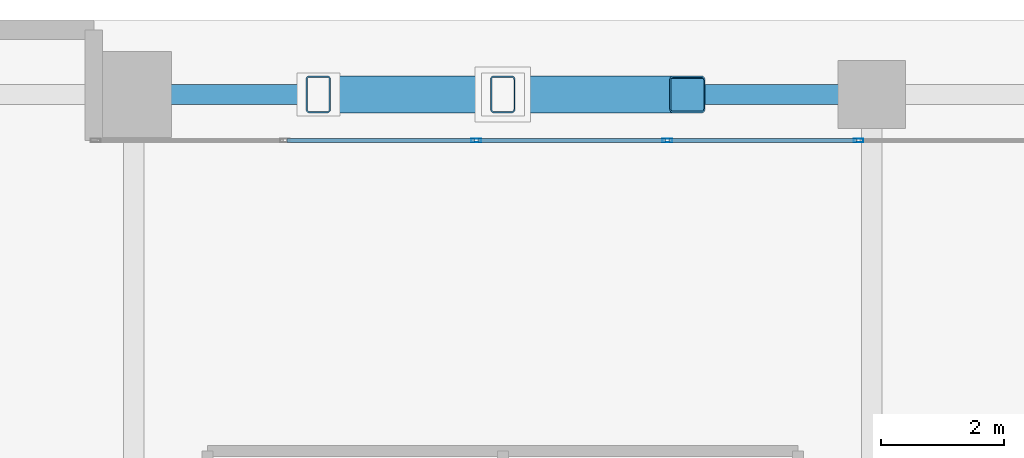
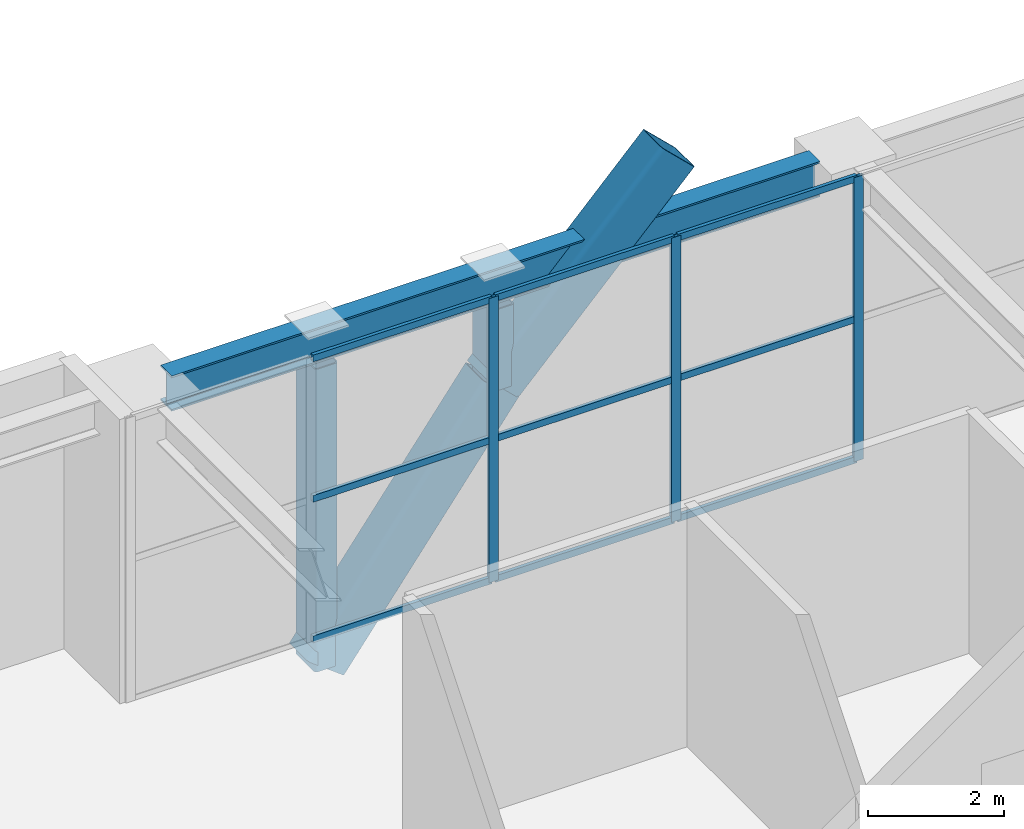
# One storey, part 14 of 28: 16 members, 1 beam, 1 element without a shape of its own.
"""IFC4 building model written with IfcOpenShell, lengths in metres."""

import ifcopenshell
import ifcopenshell.guid

model = None  # the IFC model being written
_history = None  # IfcOwnerHistory: only IFC2X3 demands one
_inside = {}  # id of a spatial element -> (the spatial element, [elements in it])
_under = {}  # id of a project, library or spatial element -> (it, [spatial elements below it])
_declared = {}  # id of a project -> (the project, [libraries it declares])
_typed = {}  # id of a type object -> (the type object, [elements of that type])
_made_of = {}  # id of a material, layer set ... -> (it, [elements and type objects made of it])


def new_model(schema):
    """Start an empty IFC model of exactly this schema.

    Asked for "IFC4X3", IfcOpenShell would pick the latest addendum, in which some entities
    have other attributes; the version numbers below select the first issue.
    IFC2X3 requires an IfcOwnerHistory on every rooted entity: one is made here for all.
    """
    global model, _history
    if schema == "IFC4X3":
        model = ifcopenshell.file(schema_version=(4, 3, 0, 0))
    else:
        model = ifcopenshell.file(schema=schema)
    _inside.clear()
    _under.clear()
    _declared.clear()
    _typed.clear()
    _made_of.clear()
    _history = None
    if model.schema == "IFC2X3":
        org = make("IfcOrganization", Name="unknown")
        user = make(
            "IfcPersonAndOrganization",
            ThePerson=make("IfcPerson", FamilyName="unknown"),
            TheOrganization=org,
        )
        app = make(
            "IfcApplication",
            ApplicationDeveloper=org,
            Version="unknown",
            ApplicationFullName="unknown",
            ApplicationIdentifier="unknown",
        )
        _history = make(
            "IfcOwnerHistory",
            OwningUser=user,
            OwningApplication=app,
            ChangeAction="ADDED",
            CreationDate=0,
        )
    return model


def make(cls, **values):
    """One entity of the class cls with the attributes given. An attribute that is None is left unset."""
    return model.create_entity(
        cls, **{name: value for name, value in values.items() if value is not None}
    )


def rooted(cls, **values):
    """An entity with a GlobalId (a new one), such as an element, a storey or a relation."""
    return make(cls, GlobalId=ifcopenshell.guid.new(), OwnerHistory=_history, **values)


def si_unit(unit_type, name, prefix=None):
    """IfcSIUnit, for example si_unit("LENGTHUNIT", "METRE", prefix="MILLI")."""
    return make("IfcSIUnit", UnitType=unit_type, Prefix=prefix, Name=name)


def assignment(units):
    """IfcUnitAssignment: the units of a project."""
    return None if units is None else make("IfcUnitAssignment", Units=units)


def point(xyz):
    """IfcCartesianPoint."""
    return None if xyz is None else make("IfcCartesianPoint", Coordinates=xyz)


def direction(xyz):
    """IfcDirection."""
    return None if xyz is None else make("IfcDirection", DirectionRatios=xyz)


def frame(location, z_axis=None, x_axis=None):
    """IfcAxis2Placement3D, a coordinate frame: its origin and axes. An axis left out is left unset."""
    return make(
        "IfcAxis2Placement3D",
        Location=point(location),
        Axis=direction(z_axis),
        RefDirection=direction(x_axis),
    )


def frame_2d(location, x_axis=None):
    """IfcAxis2Placement2D, a coordinate frame in the plane: its origin and x axis."""
    return make(
        "IfcAxis2Placement2D", Location=point(location), RefDirection=direction(x_axis)
    )


def origin():
    """The frame at (0, 0, 0) with its axes left unset."""
    return frame((0.0, 0.0, 0.0))


def origin_2d():
    """The frame at (0, 0) in the plane with its x axis left unset."""
    return frame_2d((0.0, 0.0))


def place(relative_to, where):
    """IfcLocalPlacement: puts the frame where relative to a parent placement (None: the world)."""
    return make(
        "IfcLocalPlacement", PlacementRelTo=relative_to, RelativePlacement=where
    )


def context(
    kind, dimensions, precision=None, world=None, true_north=None, identifier=None
):
    """IfcGeometricRepresentationContext, for example the 3D "Model" context."""
    return make(
        "IfcGeometricRepresentationContext",
        ContextIdentifier=identifier,
        ContextType=kind,
        CoordinateSpaceDimension=dimensions,
        Precision=precision,
        WorldCoordinateSystem=world,
        TrueNorth=true_north,
    )


def subcontext(parent, identifier, kind, view, scale=None):
    """IfcGeometricRepresentationSubContext, for example "Body" below "Model"."""
    return make(
        "IfcGeometricRepresentationSubContext",
        ContextIdentifier=identifier,
        ContextType=kind,
        ParentContext=parent,
        TargetScale=scale,
        TargetView=view,
    )


def project(units=None, contexts=None):
    """IfcProject with its units and contexts."""
    return rooted(
        "IfcProject",
        Name="project",
        RepresentationContexts=contexts,
        UnitsInContext=assignment(units),
    )


def spatial(cls, under=None, at=None, **own):
    """A site, building, storey or space (cls), placed at a placement, below another one or the project."""
    s = rooted(cls, ObjectPlacement=at, **own)
    if under is not None:
        _under.setdefault(under.id(), (under, []))[1].append(s)
    return s


def profile(cls, at=None, kind="AREA", **sizes):
    """A parametric profile (cls). Its sizes go by their IFC names, for example OverallWidth=200.0."""
    return make(cls, ProfileType=kind, Position=at, **sizes)


def hollow_rectangle(**sizes):
    """IfcRectangleHollowProfileDef."""
    return profile("IfcRectangleHollowProfileDef", **sizes)


def i_section(**sizes):
    """IfcIShapeProfileDef."""
    return profile("IfcIShapeProfileDef", **sizes)


def extrude(swept, where, along, depth):
    """IfcExtrudedAreaSolid: the profile swept, set in the frame where, extruded along a direction by depth."""
    return make(
        "IfcExtrudedAreaSolid",
        SweptArea=swept,
        Position=where,
        ExtrudedDirection=direction(along),
        Depth=depth,
    )


def shape(context_of_items, identifier, shape_type, items):
    """IfcShapeRepresentation: the items that make up one representation, for example the "Body"."""
    return make(
        "IfcShapeRepresentation",
        ContextOfItems=context_of_items,
        RepresentationIdentifier=identifier,
        RepresentationType=shape_type,
        Items=items,
    )


def material(Name=None, Category=None):
    """IfcMaterial."""
    return make("IfcMaterial", Name=Name, Category=Category)


def layer(
    of_material, thickness, ventilated=None, Name=None, Category=None, Priority=None
):
    """IfcMaterialLayer: one layer of a wall or slab, of a material (None: an air gap)."""
    return make(
        "IfcMaterialLayer",
        Material=of_material,
        LayerThickness=thickness,
        IsVentilated=ventilated,
        Name=Name,
        Category=Category,
        Priority=Priority,
    )


def layer_set(layers, Name=None):
    """IfcMaterialLayerSet."""
    return make("IfcMaterialLayerSet", MaterialLayers=layers, LayerSetName=Name)


def material_profile(
    of_material, cross_section, Name=None, Category=None, Priority=None
):
    """IfcMaterialProfile: a cross section and its material."""
    return make(
        "IfcMaterialProfile",
        Name=Name,
        Material=of_material,
        Profile=cross_section,
        Priority=Priority,
        Category=Category,
    )


def profile_set(profiles, Name=None, composite=None):
    """IfcMaterialProfileSet."""
    return make(
        "IfcMaterialProfileSet",
        Name=Name,
        MaterialProfiles=profiles,
        CompositeProfile=composite,
    )


def made_of(thing, what):
    """Note that an element or type object is made of a material, layer set ...; save() writes the relation."""
    if what is not None:
        _made_of.setdefault(what.id(), (what, []))[1].append(thing)
    return thing


def type_object(cls, material=None, **own):
    """A type object (cls), such as IfcWallType, which elements share."""
    return made_of(rooted(cls, **own), material)


def element(
    cls,
    number,
    at=None,
    inside=None,
    cuts=None,
    type_object=None,
    material=None,
    context=None,
    identifier="Body",
    shape_type=None,
    held_by="IfcProductDefinitionShape",
    body=None,
    shapes=None,
    **own,
):
    """One element of the class cls, such as IfcWall. Its Tag is "e" and its number.

    at: its placement. inside: the storey or other place that contains it. cuts: it is an
    opening in that element (IfcRelVoidsElement). A single representation is given by context,
    identifier, shape_type and body (its items); several are given by shapes. held_by: the class
    of the entity that holds the representations. save() writes the other relations.
    """
    e = rooted(cls, Tag="e%d" % number, ObjectPlacement=at, **own)
    if body is not None:
        shapes = [shape(context, identifier, shape_type, body)]
    if shapes is not None:
        e.Representation = make(held_by, Representations=shapes)
    if inside is not None:
        _inside.setdefault(inside.id(), (inside, []))[1].append(e)
    if cuts is not None:
        rooted(
            "IfcRelVoidsElement", RelatingBuildingElement=cuts, RelatedOpeningElement=e
        )
    if type_object is not None:
        _typed.setdefault(type_object.id(), (type_object, []))[1].append(e)
    return made_of(e, material)


def aggregate(whole, parts):
    """IfcRelAggregates: a whole, such as a stair, and the parts it consists of."""
    return rooted("IfcRelAggregates", RelatingObject=whole, RelatedObjects=parts)


def save(model, path):
    """Write the relations noted so far, then the file.

    IfcRelAggregates (storeys below a building ...), IfcRelContainedInSpatialStructure (elements
    in a storey), IfcRelDefinesByType, IfcRelAssociatesMaterial and IfcRelDeclares: one each for
    every whole, place, type object, material and project.
    """
    for whole, parts in _under.values():
        aggregate(whole, parts)
    for where, things in _inside.values():
        rooted(
            "IfcRelContainedInSpatialStructure",
            RelatedElements=things,
            RelatingStructure=where,
        )
    for kind, things in _typed.values():
        rooted("IfcRelDefinesByType", RelatedObjects=things, RelatingType=kind)
    for what, things in _made_of.values():
        rooted("IfcRelAssociatesMaterial", RelatedObjects=things, RelatingMaterial=what)
    for by, libraries in _declared.values():
        rooted("IfcRelDeclares", RelatingContext=by, RelatedDefinitions=libraries)
    model.write(path)


model = new_model("IFC4")

# Units and contexts
model_context = context("Model", 3, precision=1e-05, world=origin(), true_north=direction((0.0, 1.0)))
body_context = subcontext(model_context, "Body", "Model", "MODEL_VIEW")
ifc_project = project(units=[si_unit("LENGTHUNIT", "METRE"), si_unit("AREAUNIT", "SQUARE_METRE"), si_unit("VOLUMEUNIT", "CUBIC_METRE"), si_unit("PLANEANGLEUNIT", "RADIAN"), si_unit("MASSUNIT", "GRAM", prefix="KILO")], contexts=[model_context])

# Site, building, storey
site_placement = place(None, origin())
site = spatial("IfcSite", under=ifc_project, at=site_placement, CompositionType="ELEMENT")
building_placement = place(site_placement, origin())
building = spatial("IfcBuilding", under=site, at=building_placement, Name="Sarneth Arch Tower", CompositionType="ELEMENT")
storey_placement = place(building_placement, frame((0.0, 0.0, 6.0)))
storey = spatial("IfcBuildingStorey", under=building, at=storey_placement, Name="L01", CompositionType="ELEMENT", Elevation=6.0)

# Beam
ifc_material_1 = material(Name="Steel S355", Category="steel")
ifc_material_profile_1 = material_profile(ifc_material_1, i_section(OverallWidth=0.3291015625, OverallDepth=0.635009765625, WebThickness=0.017822265625, FlangeThickness=0.031005859375, FilletRadius=0.01904296875, at=origin_2d()), Name="W610x241")
ifc_profile_set_1 = profile_set([ifc_material_profile_1], Name="Steel S355")
beam_type = type_object("IfcBeamType", Name="BM-POD-610", PredefinedType="BEAM", material=ifc_profile_set_1)
beam_placement = place(storey_placement, frame((30.435546875, 74.800048828125, 4.802490234375), z_axis=(1.0, 0.0, 0.0), x_axis=(0.0, 1.0, 0.0)))
element("IfcBeam", 1, at=beam_placement, inside=storey, type_object=beam_type, Name="L01 Podium PN girder 3", PredefinedType="BEAM", context=body_context, shape_type="SweptSolid", body=[
    extrude(i_section(OverallWidth=0.3291015625, OverallDepth=0.635009765625, WebThickness=0.017822265625, FlangeThickness=0.031005859375, FilletRadius=0.01904296875, at=origin_2d()), origin(), (0.0, 0.0, 1.0), 11.04443359375),
])

# Curtain wall, members
ifc_material_2 = material(Name="Anodised aluminium Type AA25 and solar-control low-e laminated IGU", Category="aluminium")
ifc_layer = layer(ifc_material_2, 0.199951171875)
ifc_layer_set = layer_set([ifc_layer], Name="Anodised aluminium Type AA25 and solar-control low-e laminated IGU")
curtain_wall_type = type_object("IfcCurtainWallType", Name="CW-ARCH-GLAZE", PredefinedType="NOTDEFINED", material=ifc_layer_set)
curtain_wall_placement = place(storey_placement, origin())
curtain_wall = element("IfcCurtainWall", 2, at=curtain_wall_placement, inside=storey, type_object=curtain_wall_type, Name="L01 North parabolic arch portal curtain wall", PredefinedType="NOTDEFINED")
ifc_material_3 = material(Name="Anodised Aluminium 6063-T6", Category="aluminium")
ifc_material_profile_2 = material_profile(ifc_material_3, hollow_rectangle(XDim=0.06005859375, YDim=0.159912109375, WallThickness=0.00390625, at=origin_2d()), Name="AL-MULL-160x60x4")
ifc_profile_set_2 = profile_set([ifc_material_profile_2], Name="Anodised Aluminium 6063-T6")
member_type_1 = type_object("IfcMemberType", Name="CW-MULLION", PredefinedType="MULLION", material=ifc_profile_set_2)
member_1_placement = place(storey_placement, frame((41.783447265625, 74.050048828125, 0.0), z_axis=(0.0, 0.0, 1.0), x_axis=(0.0, -1.0, 0.0)))
member_1 = element("IfcMember", 3, at=member_1_placement, type_object=member_type_1, Name="CW-SYS-2 mullion 9", PredefinedType="MULLION", context=body_context, shape_type="SweptSolid", body=[
    extrude(hollow_rectangle(XDim=0.06005859375, YDim=0.159912109375, WallThickness=0.00390625, at=origin_2d()), origin(), (0.0, 0.0, 1.0), 5.1201171875),
])
member_2_placement = place(storey_placement, frame((38.675048828125, 74.050048828125, 0.0), z_axis=(0.0, 0.0, 1.0), x_axis=(0.0, -1.0, 0.0)))
member_2 = element("IfcMember", 4, at=member_2_placement, type_object=member_type_1, Name="CW-SYS-2 mullion 10", PredefinedType="MULLION", context=body_context, shape_type="SweptSolid", body=[
    extrude(hollow_rectangle(XDim=0.06005859375, YDim=0.159912109375, WallThickness=0.00390625, at=origin_2d()), origin(), (0.0, 0.0, 1.0), 5.1201171875),
])
member_3_placement = place(storey_placement, frame((35.566650390625, 74.050048828125, 0.0), z_axis=(0.0, 0.0, 1.0), x_axis=(0.0, -1.0, 0.0)))
member_3 = element("IfcMember", 5, at=member_3_placement, type_object=member_type_1, Name="CW-SYS-2 mullion 11", PredefinedType="MULLION", context=body_context, shape_type="SweptSolid", body=[
    extrude(hollow_rectangle(XDim=0.06005859375, YDim=0.159912109375, WallThickness=0.00390625, at=origin_2d()), origin(), (0.0, 0.0, 1.0), 5.1201171875),
])
ifc_material_4 = material(Name="Anodised Aluminium 6063-T6", Category="aluminium")
ifc_material_profile_3 = material_profile(ifc_material_4, hollow_rectangle(XDim=0.06005859375, YDim=0.1201171875, WallThickness=0.00390625, at=origin_2d()), Name="AL-TRAN-120x60x4")
ifc_profile_set_3 = profile_set([ifc_material_profile_3], Name="Anodised Aluminium 6063-T6")
member_type_2 = type_object("IfcMemberType", Name="CW-TRANSOM", PredefinedType="USERDEFINED", material=ifc_profile_set_3)
member_4_placement = place(storey_placement, frame((41.75341796875, 74.050048828125, 0.030029296875), z_axis=(-1.0, 0.0, 0.0), x_axis=(0.0, -1.0, 0.0)))
member_4 = element("IfcMember", 6, at=member_4_placement, type_object=member_type_2, Name="CW-SYS-2 transom 9.1", ObjectType="TRANSOM", PredefinedType="USERDEFINED", context=body_context, shape_type="SweptSolid", body=[
    extrude(hollow_rectangle(XDim=0.06005859375, YDim=0.1201171875, WallThickness=0.00390625, at=origin_2d()), origin(), (0.0, 0.0, 1.0), 3.04833984375),
])
member_5_placement = place(storey_placement, frame((41.75341796875, 74.050048828125, 2.56005859375), z_axis=(-1.0, 0.0, 0.0), x_axis=(0.0, -1.0, 0.0)))
member_5 = element("IfcMember", 7, at=member_5_placement, type_object=member_type_2, Name="CW-SYS-2 transom 9.2", ObjectType="TRANSOM", PredefinedType="USERDEFINED", context=body_context, shape_type="SweptSolid", body=[
    extrude(hollow_rectangle(XDim=0.06005859375, YDim=0.1201171875, WallThickness=0.00390625, at=origin_2d()), origin(), (0.0, 0.0, 1.0), 3.04833984375),
])
member_6_placement = place(storey_placement, frame((41.75341796875, 74.050048828125, 5.090087890625), z_axis=(-1.0, 0.0, 0.0), x_axis=(0.0, -1.0, 0.0)))
member_6 = element("IfcMember", 8, at=member_6_placement, type_object=member_type_2, Name="CW-SYS-2 transom 9.3", ObjectType="TRANSOM", PredefinedType="USERDEFINED", context=body_context, shape_type="SweptSolid", body=[
    extrude(hollow_rectangle(XDim=0.06005859375, YDim=0.1201171875, WallThickness=0.00390625, at=origin_2d()), origin(), (0.0, 0.0, 1.0), 3.04833984375),
])
member_7_placement = place(storey_placement, frame((38.64501953125, 74.050048828125, 0.030029296875), z_axis=(-1.0, 0.0, 0.0), x_axis=(0.0, -1.0, 0.0)))
member_7 = element("IfcMember", 9, at=member_7_placement, type_object=member_type_2, Name="CW-SYS-2 transom 10.1", ObjectType="TRANSOM", PredefinedType="USERDEFINED", context=body_context, shape_type="SweptSolid", body=[
    extrude(hollow_rectangle(XDim=0.06005859375, YDim=0.1201171875, WallThickness=0.00390625, at=origin_2d()), origin(), (0.0, 0.0, 1.0), 3.04833984375),
])
member_8_placement = place(storey_placement, frame((38.64501953125, 74.050048828125, 2.56005859375), z_axis=(-1.0, 0.0, 0.0), x_axis=(0.0, -1.0, 0.0)))
member_8 = element("IfcMember", 10, at=member_8_placement, type_object=member_type_2, Name="CW-SYS-2 transom 10.2", ObjectType="TRANSOM", PredefinedType="USERDEFINED", context=body_context, shape_type="SweptSolid", body=[
    extrude(hollow_rectangle(XDim=0.06005859375, YDim=0.1201171875, WallThickness=0.00390625, at=origin_2d()), origin(), (0.0, 0.0, 1.0), 3.04833984375),
])
member_9_placement = place(storey_placement, frame((38.64501953125, 74.050048828125, 5.090087890625), z_axis=(-1.0, 0.0, 0.0), x_axis=(0.0, -1.0, 0.0)))
member_9 = element("IfcMember", 11, at=member_9_placement, type_object=member_type_2, Name="CW-SYS-2 transom 10.3", ObjectType="TRANSOM", PredefinedType="USERDEFINED", context=body_context, shape_type="SweptSolid", body=[
    extrude(hollow_rectangle(XDim=0.06005859375, YDim=0.1201171875, WallThickness=0.00390625, at=origin_2d()), origin(), (0.0, 0.0, 1.0), 3.04833984375),
])
member_10_placement = place(storey_placement, frame((35.53662109375, 74.050048828125, 0.030029296875), z_axis=(-1.0, 0.0, 0.0), x_axis=(0.0, -1.0, 0.0)))
member_10 = element("IfcMember", 12, at=member_10_placement, type_object=member_type_2, Name="CW-SYS-2 transom 11.1", ObjectType="TRANSOM", PredefinedType="USERDEFINED", context=body_context, shape_type="SweptSolid", body=[
    extrude(hollow_rectangle(XDim=0.06005859375, YDim=0.1201171875, WallThickness=0.00390625, at=origin_2d()), origin(), (0.0, 0.0, 1.0), 3.04833984375),
])
member_11_placement = place(storey_placement, frame((35.53662109375, 74.050048828125, 2.56005859375), z_axis=(-1.0, 0.0, 0.0), x_axis=(0.0, -1.0, 0.0)))
member_11 = element("IfcMember", 13, at=member_11_placement, type_object=member_type_2, Name="CW-SYS-2 transom 11.2", ObjectType="TRANSOM", PredefinedType="USERDEFINED", context=body_context, shape_type="SweptSolid", body=[
    extrude(hollow_rectangle(XDim=0.06005859375, YDim=0.1201171875, WallThickness=0.00390625, at=origin_2d()), origin(), (0.0, 0.0, 1.0), 3.04833984375),
])
member_12_placement = place(storey_placement, frame((35.53662109375, 74.050048828125, 5.090087890625), z_axis=(-1.0, 0.0, 0.0), x_axis=(0.0, -1.0, 0.0)))
member_12 = element("IfcMember", 14, at=member_12_placement, type_object=member_type_2, Name="CW-SYS-2 transom 11.3", ObjectType="TRANSOM", PredefinedType="USERDEFINED", context=body_context, shape_type="SweptSolid", body=[
    extrude(hollow_rectangle(XDim=0.06005859375, YDim=0.1201171875, WallThickness=0.00390625, at=origin_2d()), origin(), (0.0, 0.0, 1.0), 3.04833984375),
])
aggregate(curtain_wall, [member_1, member_2, member_3, member_4, member_5, member_6, member_7, member_8, member_9, member_10, member_11, member_12])

# Members
ifc_material_5 = material(Name="Steel S355", Category="steel")
ifc_material_profile_4 = material_profile(ifc_material_5, hollow_rectangle(XDim=0.60009765625, YDim=0.800048828125, WallThickness=0.028076171875, InnerFilletRadius=0.0419921875, OuterFilletRadius=0.070068359375, at=origin_2d()), Name="RHS800x600x28")
ifc_profile_set_4 = profile_set([ifc_material_profile_4], Name="Steel S355")
member_type_3 = type_object("IfcMemberType", Name="MEM-ARCH-CHORD", PredefinedType="CHORD", material=ifc_profile_set_4)
member_13_placement = place(storey_placement, frame((33.0, 74.800048828125, -0.96875), z_axis=(0.60060981993, 0.0, 0.799542271681), x_axis=(0.0, 1.0, 0.0)))
element("IfcMember", 15, at=member_13_placement, inside=storey, type_object=member_type_3, Name="Podium parabolic arch rib 6 segment 2", PredefinedType="CHORD", context=body_context, shape_type="SweptSolid", body=[
    extrude(hollow_rectangle(XDim=0.60009765625, YDim=0.800048828125, WallThickness=0.028076171875, InnerFilletRadius=0.0419921875, OuterFilletRadius=0.070068359375, at=origin_2d()), origin(), (0.0, 0.0, 1.0), 4.994873046875),
])
member_14_placement = place(storey_placement, frame((36.0, 74.800048828125, 3.02490234375), z_axis=(0.694675220792, 0.0, 0.71932352778), x_axis=(0.0, 1.0, 0.0)))
element("IfcMember", 16, at=member_14_placement, inside=storey, type_object=member_type_3, Name="Podium parabolic arch rib 6 segment 3", PredefinedType="CHORD", context=body_context, shape_type="SweptSolid", body=[
    extrude(hollow_rectangle(XDim=0.60009765625, YDim=0.800048828125, WallThickness=0.028076171875, InnerFilletRadius=0.0419921875, OuterFilletRadius=0.070068359375, at=origin_2d()), origin(), (0.0, 0.0, 1.0), 4.318603515625),
])
ifc_material_6 = material(Name="Steel S355", Category="steel")
ifc_material_profile_5 = material_profile(ifc_material_6, hollow_rectangle(XDim=0.39990234375, YDim=0.60009765625, WallThickness=0.02197265625, InnerFilletRadius=0.032958984375, OuterFilletRadius=0.054931640625, at=origin_2d()), Name="RHS600x400x22")
ifc_profile_set_5 = profile_set([ifc_material_profile_5], Name="Steel S355")
member_type_4 = type_object("IfcMemberType", Name="MEM-ARCH-WEB", PredefinedType="BRACE", material=ifc_profile_set_5)
member_15_placement = place(storey_placement, frame((33.0, 74.800048828125, -0.96875), z_axis=(0.0, 0.0, 1.0), x_axis=(1.0, 0.0, 0.0)))
element("IfcMember", 17, at=member_15_placement, inside=storey, type_object=member_type_4, Name="Podium arch spandrel post 6.1A", PredefinedType="BRACE", context=body_context, shape_type="SweptSolid", body=[
    extrude(hollow_rectangle(XDim=0.39990234375, YDim=0.60009765625, WallThickness=0.02197265625, InnerFilletRadius=0.032958984375, OuterFilletRadius=0.054931640625, at=origin_2d()), origin(), (0.0, 0.0, 1.0), 5.453857421875),
])
member_16_placement = place(storey_placement, frame((36.0, 74.800048828125, 3.02490234375), z_axis=(0.0, 0.0, 1.0), x_axis=(1.0, 0.0, 0.0)))
element("IfcMember", 18, at=member_16_placement, inside=storey, type_object=member_type_4, Name="Podium arch spandrel post 6.2A", PredefinedType="BRACE", context=body_context, shape_type="SweptSolid", body=[
    extrude(hollow_rectangle(XDim=0.39990234375, YDim=0.60009765625, WallThickness=0.02197265625, InnerFilletRadius=0.032958984375, OuterFilletRadius=0.054931640625, at=origin_2d()), origin(), (0.0, 0.0, 1.0), 1.460205078125),
])

save(model, "model.ifc")
